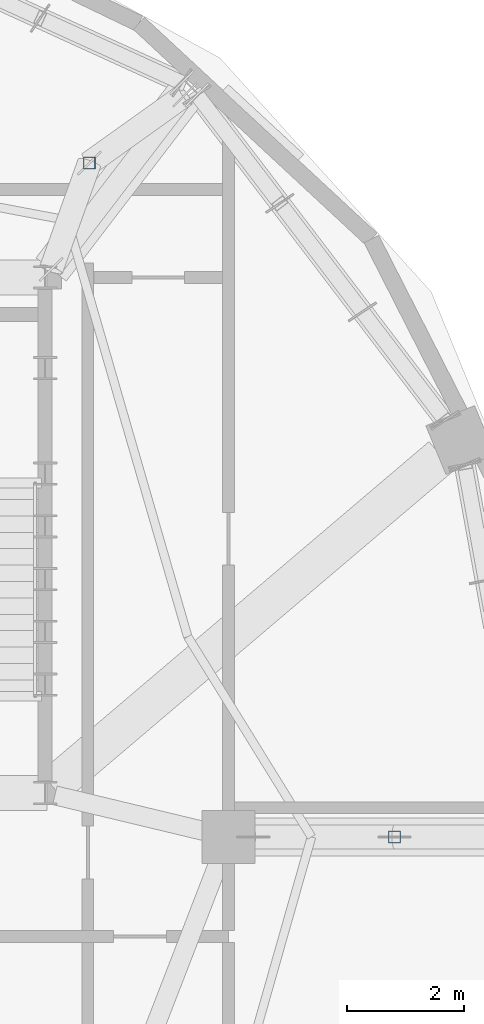
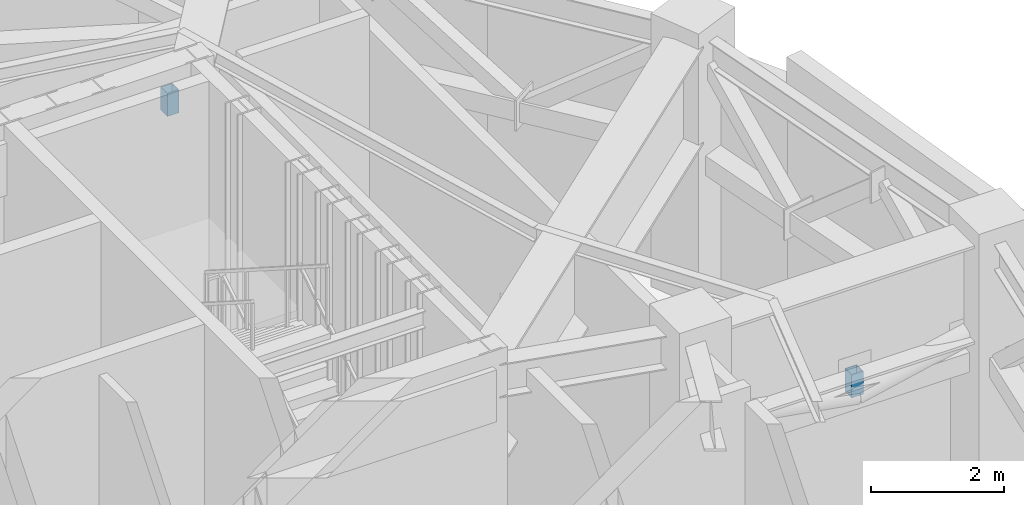
# One storey, part 5 of 15: 2 members.
"""IFC4 building model written with IfcOpenShell, lengths in metres."""

from ifc_helpers import new_model, si_unit, direction, frame, origin, origin_2d, place, context, subcontext, project, spatial, hollow_rectangle, extrude, material, material_profile, profile_set, type_object, element, save


model = new_model("IFC4")

# Units and contexts
model_context = context("Model", 3, precision=1e-05, world=origin(), true_north=direction((0.0, 1.0)))
body_context = subcontext(model_context, "Body", "Model", "MODEL_VIEW")
ifc_project = project(units=[si_unit("LENGTHUNIT", "METRE"), si_unit("AREAUNIT", "SQUARE_METRE"), si_unit("VOLUMEUNIT", "CUBIC_METRE"), si_unit("PLANEANGLEUNIT", "RADIAN"), si_unit("MASSUNIT", "GRAM", prefix="KILO")], contexts=[model_context])

# Site, building, storey
site_placement = place(None, origin())
site = spatial("IfcSite", under=ifc_project, at=site_placement, CompositionType="ELEMENT")
building_placement = place(site_placement, origin())
building = spatial("IfcBuilding", under=site, at=building_placement, Name="Haldorwick Loom Tower", CompositionType="ELEMENT")
storey_placement = place(building_placement, frame((0.0, 0.0, 286.5)))
storey = spatial("IfcBuildingStorey", under=building, at=storey_placement, Name="L77", CompositionType="ELEMENT", Elevation=286.5)

# Members
ifc_material = material(Name="Steel CSA G40.21 350W", Category="steel")
ifc_material_profile = material_profile(ifc_material, hollow_rectangle(XDim=0.203125, YDim=0.203125, WallThickness=0.009521484375, at=origin_2d()), Name="HSS203X203X10", Category="steel")
ifc_profile_set = profile_set([ifc_material_profile], Name="Steel CSA G40.21 350W")
member_type = type_object("IfcMemberType", Name="STR-MEM-ST203", PredefinedType="STRUT", material=ifc_profile_set)
for number, where, z_axis, x_axis, name in (
    (1, (56.03369140625, 26.0, 2.5), (0.0, 0.0, 1.0), (1.0, 0.0, 0.0), "L77 Outrigger OT-E Mid Post"),
    (2, (50.825439453125, 37.501220703125, 2.5), (0.0, 0.0, 1.0), (1.0, 0.0, 0.0), "L77 Outrigger OT-NE Mid Post"),
):
    element("IfcMember", number, at=place(storey_placement, frame(where, z_axis=z_axis, x_axis=x_axis)), inside=storey, type_object=member_type, Name=name, PredefinedType="STRUT", context=body_context, shape_type="SweptSolid", body=[
        extrude(hollow_rectangle(XDim=0.203125, YDim=0.203125, WallThickness=0.009521484375, at=origin_2d()), origin(), (0.0, 0.0, 1.0), 0.419921875),
    ])

save(model, "model.ifc")
